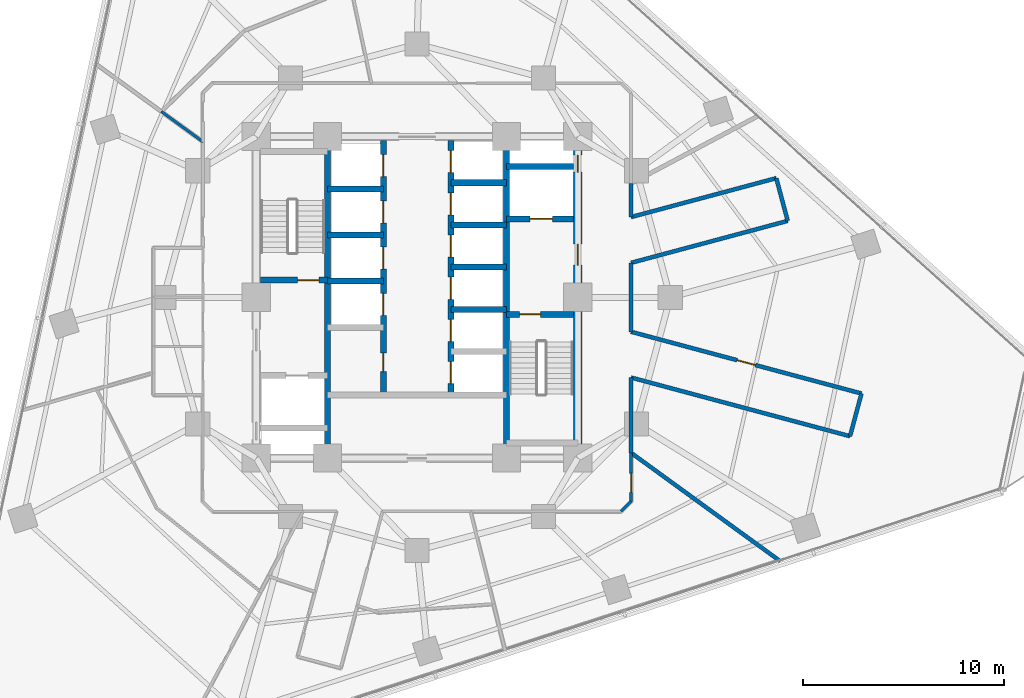
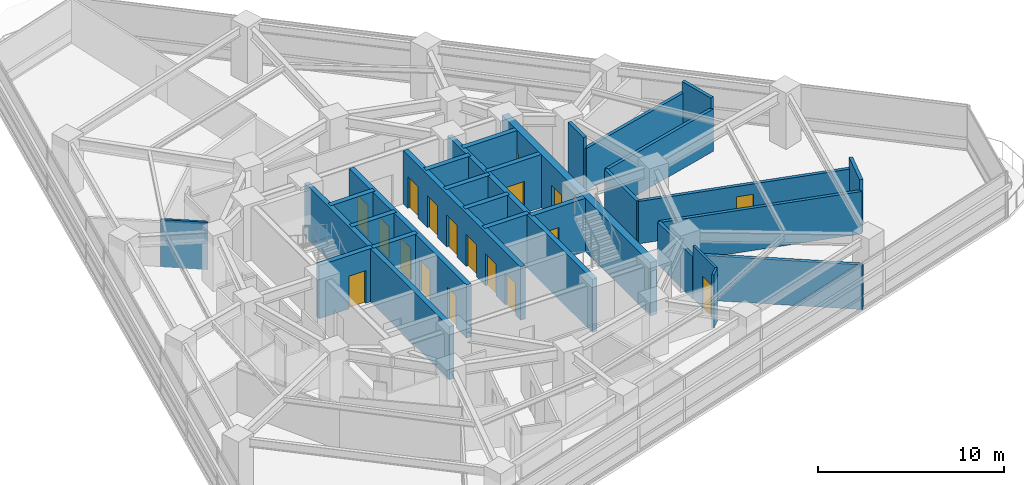
# One storey, part 8 of 13: 29 walls, 18 doors, 18 openings.
"""IFC4 building model written with IfcOpenShell, lengths in metres."""

from ifc_helpers import new_model, si_unit, direction, frame, frame_2d, origin, place, context, subcontext, project, spatial, rectangle, extrude, material, layer, layer_set, type_object, element, fill, save


model = new_model("IFC4")

# Units and contexts
model_context = context("Model", 3, precision=1e-05, world=origin(), true_north=direction((0.0, 1.0)))
body_context = subcontext(model_context, "Body", "Model", "MODEL_VIEW")
ifc_project = project(units=[si_unit("LENGTHUNIT", "METRE"), si_unit("AREAUNIT", "SQUARE_METRE"), si_unit("VOLUMEUNIT", "CUBIC_METRE"), si_unit("PLANEANGLEUNIT", "RADIAN"), si_unit("MASSUNIT", "GRAM", prefix="KILO")], contexts=[model_context])

# Site, building, storey
site_placement = place(None, origin())
site = spatial("IfcSite", under=ifc_project, at=site_placement, CompositionType="ELEMENT")
building_placement = place(site_placement, origin())
building = spatial("IfcBuilding", under=site, at=building_placement, Name="Terralouvre Media Tower", CompositionType="ELEMENT")
storey_placement = place(building_placement, frame((0.0, 0.0, 90.300048828125)))
storey = spatial("IfcBuildingStorey", under=building, at=storey_placement, Name="L22", CompositionType="ELEMENT", Elevation=90.300048828125)

# Walls
ifc_material_1 = material(Name="Concrete C50/60", Category="concrete")
ifc_layer_1 = layer(ifc_material_1, 0.300048828125, Name="Core Internal Shaft Wall CW-300")
ifc_layer_set_1 = layer_set([ifc_layer_1], Name="Concrete C50/60")
wall_type_1 = type_object("IfcWallType", Name="Core Internal Shaft Wall CW-300", PredefinedType="SHEAR", material=ifc_layer_set_1)
for number, where, z_axis, x_axis, name in (
    (1, (-4.449951171875, -7.7900390625, 0.0), (0.0, 0.0, 1.0), (0.0, 1.0, 0.0), "L22 Core Shaft Wall SPW"),
    (2, (4.449951171875, -7.7900390625, 0.0), (0.0, 0.0, 1.0), (0.0, 1.0, 0.0), "L22 Core Shaft Wall SPE"),
):
    element("IfcWall", number, at=place(storey_placement, frame(where, z_axis=z_axis, x_axis=x_axis)), inside=storey, type_object=wall_type_1, Name=name, PredefinedType="SHEAR", context=body_context, shape_type="SweptSolid", body=[
        extrude(rectangle(XDim=15.580078125, YDim=0.300048828125, at=frame_2d((7.7900390625, 0.0))), origin(), (0.0, 0.0, 1.0), 3.5),
    ])

# Wall, opening, door
wall_1_placement = place(storey_placement, frame((-7.7900390625, 0.85009765625, 0.0), z_axis=(0.0, 0.0, 1.0), x_axis=(1.0, 0.0, 0.0)))
wall_1 = element("IfcWall", 3, at=wall_1_placement, inside=storey, type_object=wall_type_1, Name="L22 Core Shaft Wall ST1D", PredefinedType="SHEAR", context=body_context, shape_type="SweptSolid", body=[
    extrude(rectangle(XDim=3.340087890625, YDim=0.300048828125, at=frame_2d((1.669921875, 0.0))), origin(), (0.0, 0.0, 1.0), 3.5),
])
opening_1_placement = place(wall_1_placement, frame((1.85009765625, 0.0, 0.0)))
opening_1 = element("IfcOpeningElement", 4, at=opening_1_placement, cuts=wall_1, Name="Opening FD-01-105X215", PredefinedType="OPENING", context=body_context, shape_type="SweptSolid", body=[
    extrude(rectangle(XDim=1.050048828125, YDim=2.14990234375, at=frame_2d((0.52490234375, 1.074951171875))), frame((0.0, 0.159912109375, 0.0), z_axis=(0.0, -1.0, 0.0), x_axis=(1.0, 0.0, 0.0)), (0.0, 0.0, 1.0), 0.320068359375),
])
ifc_material_2 = material(Name="Galvanised steel fire-resisting leaf", Category="steel")
door_type_1 = type_object("IfcDoorType", Name="Stair and Firefighting Lobby Fire Door FD-01 (1050x2150)", OperationType="NOTDEFINED", PredefinedType="DOOR", material=ifc_material_2)
door_1_placement = place(opening_1_placement, origin())
door_1 = element("IfcDoor", 5, at=door_1_placement, inside=storey, type_object=door_type_1, Name="L22 ST-01 Exit Stair Door", OperationType="SINGLE_SWING_LEFT", OverallHeight=2.14990234375, OverallWidth=1.050048828125, PredefinedType="DOOR", context=body_context, shape_type="SweptSolid", body=[
    extrude(rectangle(XDim=1.050048828125, YDim=2.14990234375, at=frame_2d((0.52490234375, 1.074951171875))), frame((0.0, 0.02490234375, 0.0), z_axis=(0.0, -1.0, 0.0), x_axis=(1.0, 0.0, 0.0)), (0.0, 0.0, 1.0), 0.050048828125),
])
fill(opening_1, door_1)

wall_2_placement = place(storey_placement, frame((4.449951171875, -0.85009765625, 0.0), z_axis=(0.0, 0.0, 1.0), x_axis=(1.0, 0.0, 0.0)))
wall_2 = element("IfcWall", 6, at=wall_2_placement, inside=storey, type_object=wall_type_1, Name="L22 Core Shaft Wall ST2D", PredefinedType="SHEAR", context=body_context, shape_type="SweptSolid", body=[
    extrude(rectangle(XDim=3.340087890625, YDim=0.300048828125, at=frame_2d((1.669921875, 0.0))), origin(), (0.0, 0.0, 1.0), 3.5),
])
opening_2_placement = place(wall_2_placement, frame((0.64990234375, 0.0, 0.0)))
opening_2 = element("IfcOpeningElement", 7, at=opening_2_placement, cuts=wall_2, Name="Opening FD-01-105X215", PredefinedType="OPENING", context=body_context, shape_type="SweptSolid", body=[
    extrude(rectangle(XDim=1.050048828125, YDim=2.14990234375, at=frame_2d((0.52490234375, 1.074951171875))), frame((0.0, 0.159912109375, 0.0), z_axis=(0.0, -1.0, 0.0), x_axis=(1.0, 0.0, 0.0)), (0.0, 0.0, 1.0), 0.320068359375),
])
door_2_placement = place(opening_2_placement, origin())
door_2 = element("IfcDoor", 8, at=door_2_placement, inside=storey, type_object=door_type_1, Name="L22 ST-02 Exit Stair Door", OperationType="SINGLE_SWING_RIGHT", OverallHeight=2.14990234375, OverallWidth=1.050048828125, PredefinedType="DOOR", context=body_context, shape_type="SweptSolid", body=[
    extrude(rectangle(XDim=1.050048828125, YDim=2.14990234375, at=frame_2d((0.52490234375, 1.074951171875))), frame((0.0, 0.02490234375, 0.0), z_axis=(0.0, -1.0, 0.0), x_axis=(1.0, 0.0, 0.0)), (0.0, 0.0, 1.0), 0.050048828125),
])
fill(opening_2, door_2)

wall_3_placement = place(storey_placement, frame((4.449951171875, 3.89990234375, 0.0), z_axis=(0.0, 0.0, 1.0), x_axis=(1.0, 0.0, 0.0)))
wall_3 = element("IfcWall", 9, at=wall_3_placement, inside=storey, type_object=wall_type_1, Name="L22 Core Shaft Wall FF2S", PredefinedType="SHEAR", context=body_context, shape_type="SweptSolid", body=[
    extrude(rectangle(XDim=3.340087890625, YDim=0.300048828125, at=frame_2d((1.669921875, 0.0))), origin(), (0.0, 0.0, 1.0), 3.5),
])
opening_3_placement = place(wall_3_placement, frame((1.179931640625, 0.0, 0.0)))
opening_3 = element("IfcOpeningElement", 10, at=opening_3_placement, cuts=wall_3, Name="Opening LD-FF", PredefinedType="OPENING", context=body_context, shape_type="SweptSolid", body=[
    extrude(rectangle(XDim=1.10009765625, YDim=2.10009765625, at=frame_2d((0.550048828125, 1.050048828125))), frame((0.0, 0.159912109375, 0.0), z_axis=(0.0, -1.0, 0.0), x_axis=(1.0, 0.0, 0.0)), (0.0, 0.0, 1.0), 0.320068359375),
])
ifc_material_3 = material(Name="Stainless steel 316 handrail and balustrade", Category="steel")
door_type_2 = type_object("IfcDoorType", Name="Firefighting Lift Sliding Landing Door LD-FF", OperationType="SLIDING_TO_LEFT", PredefinedType="DOOR", material=ifc_material_3)
door_3_placement = place(opening_3_placement, origin())
door_3 = element("IfcDoor", 11, at=door_3_placement, inside=storey, type_object=door_type_2, Name="L22 Firefighting Lift FFL-02 Landing Door", OperationType="SLIDING_TO_LEFT", OverallHeight=2.10009765625, OverallWidth=1.10009765625, PredefinedType="DOOR", context=body_context, shape_type="SweptSolid", body=[
    extrude(rectangle(XDim=1.10009765625, YDim=2.10009765625, at=frame_2d((0.550048828125, 1.050048828125))), frame((0.0, 0.02490234375, 0.0), z_axis=(0.0, -1.0, 0.0), x_axis=(1.0, 0.0, 0.0)), (0.0, 0.0, 1.0), 0.050048828125),
])
fill(opening_3, door_3)

# Wall
wall_4_placement = place(storey_placement, frame((4.449951171875, 6.5, 0.0), z_axis=(0.0, 0.0, 1.0), x_axis=(1.0, 0.0, 0.0)))
element("IfcWall", 12, at=wall_4_placement, inside=storey, type_object=wall_type_1, Name="L22 Core Shaft Wall FF2N", PredefinedType="SHEAR", context=body_context, shape_type="SweptSolid", body=[
    extrude(rectangle(XDim=3.340087890625, YDim=0.300048828125, at=frame_2d((1.669921875, 0.0))), origin(), (0.0, 0.0, 1.0), 3.5),
])

# Wall, openings, doors
wall_5_placement = place(storey_placement, frame((-1.679931640625, -4.85009765625, 0.0), z_axis=(0.0, 0.0, 1.0), x_axis=(0.0, 1.0, 0.0)))
wall_5 = element("IfcWall", 13, at=wall_5_placement, inside=storey, type_object=wall_type_1, Name="L22 Core Shaft Wall LBW", PredefinedType="SHEAR", context=body_context, shape_type="SweptSolid", body=[
    extrude(rectangle(XDim=12.64013671875, YDim=0.300048828125, at=frame_2d((6.320068359375, 0.0))), origin(), (0.0, 0.0, 1.0), 3.5),
])
opening_4_placement = place(wall_5_placement, frame((3.949951171875, 0.0, 0.0)))
opening_4 = element("IfcOpeningElement", 14, at=opening_4_placement, cuts=wall_5, Name="Opening LD-PL", PredefinedType="OPENING", context=body_context, shape_type="SweptSolid", body=[
    extrude(rectangle(XDim=1.10009765625, YDim=2.10009765625, at=frame_2d((0.550048828125, 1.050048828125))), frame((0.0, 0.159912109375, 0.0), z_axis=(0.0, -1.0, 0.0), x_axis=(1.0, 0.0, 0.0)), (0.0, 0.0, 1.0), 0.320068359375),
])
opening_5_placement = place(wall_5_placement, frame((6.25, 0.0, 0.0)))
opening_5 = element("IfcOpeningElement", 15, at=opening_5_placement, cuts=wall_5, Name="Opening LD-PL", PredefinedType="OPENING", context=body_context, shape_type="SweptSolid", body=[
    extrude(rectangle(XDim=1.10009765625, YDim=2.10009765625, at=frame_2d((0.550048828125, 1.050048828125))), frame((0.0, 0.159912109375, 0.0), z_axis=(0.0, -1.0, 0.0), x_axis=(1.0, 0.0, 0.0)), (0.0, 0.0, 1.0), 0.320068359375),
])
opening_6_placement = place(wall_5_placement, frame((8.550048828125, 0.0, 0.0)))
opening_6 = element("IfcOpeningElement", 16, at=opening_6_placement, cuts=wall_5, Name="Opening LD-PL", PredefinedType="OPENING", context=body_context, shape_type="SweptSolid", body=[
    extrude(rectangle(XDim=1.10009765625, YDim=2.10009765625, at=frame_2d((0.550048828125, 1.050048828125))), frame((0.0, 0.159912109375, 0.0), z_axis=(0.0, -1.0, 0.0), x_axis=(1.0, 0.0, 0.0)), (0.0, 0.0, 1.0), 0.320068359375),
])
opening_7_placement = place(wall_5_placement, frame((10.85009765625, 0.0, 0.0)))
opening_7 = element("IfcOpeningElement", 17, at=opening_7_placement, cuts=wall_5, Name="Opening LD-PL", PredefinedType="OPENING", context=body_context, shape_type="SweptSolid", body=[
    extrude(rectangle(XDim=1.10009765625, YDim=2.10009765625, at=frame_2d((0.550048828125, 1.050048828125))), frame((0.0, 0.159912109375, 0.0), z_axis=(0.0, -1.0, 0.0), x_axis=(1.0, 0.0, 0.0)), (0.0, 0.0, 1.0), 0.320068359375),
])
opening_8_placement = place(wall_5_placement, frame((1.14990234375, 0.0, 0.0)))
opening_8 = element("IfcOpeningElement", 18, at=opening_8_placement, cuts=wall_5, Name="Opening FD-05-92X210", PredefinedType="OPENING", context=body_context, shape_type="SweptSolid", body=[
    extrude(rectangle(XDim=0.919921875, YDim=2.10009765625, at=frame_2d((0.4599609375, 1.050048828125))), frame((0.0, 0.159912109375, 0.0), z_axis=(0.0, -1.0, 0.0), x_axis=(1.0, 0.0, 0.0)), (0.0, 0.0, 1.0), 0.320068359375),
])
ifc_material_4 = material(Name="Galvanised steel fire-resisting leaf", Category="steel")
door_type_3 = type_object("IfcDoorType", Name="Core Accessible Closet Fire Door FD-05 (920x2100)", OperationType="NOTDEFINED", PredefinedType="DOOR", material=ifc_material_4)
door_4_placement = place(opening_8_placement, origin())
door_4 = element("IfcDoor", 19, at=door_4_placement, inside=storey, type_object=door_type_3, Name="L22 Core Cleaners Closet Door", OperationType="SINGLE_SWING_LEFT", OverallHeight=2.10009765625, OverallWidth=0.919921875, PredefinedType="DOOR", context=body_context, shape_type="SweptSolid", body=[
    extrude(rectangle(XDim=0.919921875, YDim=2.10009765625, at=frame_2d((0.4599609375, 1.050048828125))), frame((0.0, 0.02490234375, 0.0), z_axis=(0.0, -1.0, 0.0), x_axis=(1.0, 0.0, 0.0)), (0.0, 0.0, 1.0), 0.050048828125),
])
fill(opening_8, door_4)
ifc_material_5 = material(Name="Stainless steel 316 handrail and balustrade", Category="steel")
door_type_4 = type_object("IfcDoorType", Name="Passenger Lift Sliding Landing Door LD-PL", OperationType="SLIDING_TO_LEFT", PredefinedType="DOOR", material=ifc_material_5)
door_5_placement = place(opening_4_placement, origin())
door_5 = element("IfcDoor", 20, at=door_5_placement, inside=storey, type_object=door_type_4, Name="L22 Low-Rise Lift PL-L1 Landing Door", OperationType="SLIDING_TO_LEFT", OverallHeight=2.10009765625, OverallWidth=1.10009765625, PredefinedType="DOOR", context=body_context, shape_type="SweptSolid", body=[
    extrude(rectangle(XDim=1.10009765625, YDim=2.10009765625, at=frame_2d((0.550048828125, 1.050048828125))), frame((0.0, 0.02490234375, 0.0), z_axis=(0.0, -1.0, 0.0), x_axis=(1.0, 0.0, 0.0)), (0.0, 0.0, 1.0), 0.050048828125),
])
fill(opening_4, door_5)
door_6_placement = place(opening_5_placement, origin())
door_6 = element("IfcDoor", 21, at=door_6_placement, inside=storey, type_object=door_type_4, Name="L22 Low-Rise Lift PL-L2 Landing Door", OperationType="SLIDING_TO_LEFT", OverallHeight=2.10009765625, OverallWidth=1.10009765625, PredefinedType="DOOR", context=body_context, shape_type="SweptSolid", body=[
    extrude(rectangle(XDim=1.10009765625, YDim=2.10009765625, at=frame_2d((0.550048828125, 1.050048828125))), frame((0.0, 0.02490234375, 0.0), z_axis=(0.0, -1.0, 0.0), x_axis=(1.0, 0.0, 0.0)), (0.0, 0.0, 1.0), 0.050048828125),
])
fill(opening_5, door_6)
door_7_placement = place(opening_6_placement, origin())
door_7 = element("IfcDoor", 22, at=door_7_placement, inside=storey, type_object=door_type_4, Name="L22 Low-Rise Lift PL-L3 Landing Door", OperationType="SLIDING_TO_LEFT", OverallHeight=2.10009765625, OverallWidth=1.10009765625, PredefinedType="DOOR", context=body_context, shape_type="SweptSolid", body=[
    extrude(rectangle(XDim=1.10009765625, YDim=2.10009765625, at=frame_2d((0.550048828125, 1.050048828125))), frame((0.0, 0.02490234375, 0.0), z_axis=(0.0, -1.0, 0.0), x_axis=(1.0, 0.0, 0.0)), (0.0, 0.0, 1.0), 0.050048828125),
])
fill(opening_6, door_7)
door_8_placement = place(opening_7_placement, origin())
door_8 = element("IfcDoor", 23, at=door_8_placement, inside=storey, type_object=door_type_4, Name="L22 Low-Rise Lift PL-L4 Landing Door", OperationType="SLIDING_TO_LEFT", OverallHeight=2.10009765625, OverallWidth=1.10009765625, PredefinedType="DOOR", context=body_context, shape_type="SweptSolid", body=[
    extrude(rectangle(XDim=1.10009765625, YDim=2.10009765625, at=frame_2d((0.550048828125, 1.050048828125))), frame((0.0, 0.02490234375, 0.0), z_axis=(0.0, -1.0, 0.0), x_axis=(1.0, 0.0, 0.0)), (0.0, 0.0, 1.0), 0.050048828125),
])
fill(opening_7, door_8)

wall_6_placement = place(storey_placement, frame((1.679931640625, -4.85009765625, 0.0), z_axis=(0.0, 0.0, 1.0), x_axis=(0.0, 1.0, 0.0)))
wall_6 = element("IfcWall", 24, at=wall_6_placement, inside=storey, type_object=wall_type_1, Name="L22 Core Shaft Wall LBE", PredefinedType="SHEAR", context=body_context, shape_type="SweptSolid", body=[
    extrude(rectangle(XDim=12.64013671875, YDim=0.300048828125, at=frame_2d((6.320068359375, 0.0))), origin(), (0.0, 0.0, 1.0), 3.5),
])
opening_9_placement = place(wall_6_placement, frame((0.550048828125, 0.0, 0.0)))
opening_9 = element("IfcOpeningElement", 25, at=opening_9_placement, cuts=wall_6, Name="Opening LD-PL", PredefinedType="OPENING", context=body_context, shape_type="SweptSolid", body=[
    extrude(rectangle(XDim=1.10009765625, YDim=2.10009765625, at=frame_2d((0.550048828125, 1.050048828125))), frame((0.0, 0.159912109375, 0.0), z_axis=(0.0, -1.0, 0.0), x_axis=(1.0, 0.0, 0.0)), (0.0, 0.0, 1.0), 0.320068359375),
])
opening_10_placement = place(wall_6_placement, frame((2.64990234375, 0.0, 0.0)))
opening_10 = element("IfcOpeningElement", 26, at=opening_10_placement, cuts=wall_6, Name="Opening LD-PL", PredefinedType="OPENING", context=body_context, shape_type="SweptSolid", body=[
    extrude(rectangle(XDim=1.10009765625, YDim=2.10009765625, at=frame_2d((0.550048828125, 1.050048828125))), frame((0.0, 0.159912109375, 0.0), z_axis=(0.0, -1.0, 0.0), x_axis=(1.0, 0.0, 0.0)), (0.0, 0.0, 1.0), 0.320068359375),
])
opening_11_placement = place(wall_6_placement, frame((4.75, 0.0, 0.0)))
opening_11 = element("IfcOpeningElement", 27, at=opening_11_placement, cuts=wall_6, Name="Opening LD-PL", PredefinedType="OPENING", context=body_context, shape_type="SweptSolid", body=[
    extrude(rectangle(XDim=1.10009765625, YDim=2.10009765625, at=frame_2d((0.550048828125, 1.050048828125))), frame((0.0, 0.159912109375, 0.0), z_axis=(0.0, -1.0, 0.0), x_axis=(1.0, 0.0, 0.0)), (0.0, 0.0, 1.0), 0.320068359375),
])
opening_12_placement = place(wall_6_placement, frame((6.85009765625, 0.0, 0.0)))
opening_12 = element("IfcOpeningElement", 28, at=opening_12_placement, cuts=wall_6, Name="Opening LD-PL", PredefinedType="OPENING", context=body_context, shape_type="SweptSolid", body=[
    extrude(rectangle(XDim=1.10009765625, YDim=2.10009765625, at=frame_2d((0.550048828125, 1.050048828125))), frame((0.0, 0.159912109375, 0.0), z_axis=(0.0, -1.0, 0.0), x_axis=(1.0, 0.0, 0.0)), (0.0, 0.0, 1.0), 0.320068359375),
])
opening_13_placement = place(wall_6_placement, frame((8.949951171875, 0.0, 0.0)))
opening_13 = element("IfcOpeningElement", 29, at=opening_13_placement, cuts=wall_6, Name="Opening LD-PL", PredefinedType="OPENING", context=body_context, shape_type="SweptSolid", body=[
    extrude(rectangle(XDim=1.10009765625, YDim=2.10009765625, at=frame_2d((0.550048828125, 1.050048828125))), frame((0.0, 0.159912109375, 0.0), z_axis=(0.0, -1.0, 0.0), x_axis=(1.0, 0.0, 0.0)), (0.0, 0.0, 1.0), 0.320068359375),
])
opening_14_placement = place(wall_6_placement, frame((11.050048828125, 0.0, 0.0)))
opening_14 = element("IfcOpeningElement", 30, at=opening_14_placement, cuts=wall_6, Name="Opening LD-PL", PredefinedType="OPENING", context=body_context, shape_type="SweptSolid", body=[
    extrude(rectangle(XDim=1.10009765625, YDim=2.10009765625, at=frame_2d((0.550048828125, 1.050048828125))), frame((0.0, 0.159912109375, 0.0), z_axis=(0.0, -1.0, 0.0), x_axis=(1.0, 0.0, 0.0)), (0.0, 0.0, 1.0), 0.320068359375),
])
door_9_placement = place(opening_9_placement, origin())
door_9 = element("IfcDoor", 31, at=door_9_placement, inside=storey, type_object=door_type_4, Name="L22 High-Rise Lift PL-H1 Landing Door", OperationType="SLIDING_TO_LEFT", OverallHeight=2.10009765625, OverallWidth=1.10009765625, PredefinedType="DOOR", context=body_context, shape_type="SweptSolid", body=[
    extrude(rectangle(XDim=1.10009765625, YDim=2.10009765625, at=frame_2d((0.550048828125, 1.050048828125))), frame((0.0, 0.02490234375, 0.0), z_axis=(0.0, -1.0, 0.0), x_axis=(1.0, 0.0, 0.0)), (0.0, 0.0, 1.0), 0.050048828125),
])
fill(opening_9, door_9)
door_10_placement = place(opening_10_placement, origin())
door_10 = element("IfcDoor", 32, at=door_10_placement, inside=storey, type_object=door_type_4, Name="L22 High-Rise Lift PL-H2 Landing Door", OperationType="SLIDING_TO_LEFT", OverallHeight=2.10009765625, OverallWidth=1.10009765625, PredefinedType="DOOR", context=body_context, shape_type="SweptSolid", body=[
    extrude(rectangle(XDim=1.10009765625, YDim=2.10009765625, at=frame_2d((0.550048828125, 1.050048828125))), frame((0.0, 0.02490234375, 0.0), z_axis=(0.0, -1.0, 0.0), x_axis=(1.0, 0.0, 0.0)), (0.0, 0.0, 1.0), 0.050048828125),
])
fill(opening_10, door_10)
door_11_placement = place(opening_11_placement, origin())
door_11 = element("IfcDoor", 33, at=door_11_placement, inside=storey, type_object=door_type_4, Name="L22 High-Rise Lift PL-H3 Landing Door", OperationType="SLIDING_TO_LEFT", OverallHeight=2.10009765625, OverallWidth=1.10009765625, PredefinedType="DOOR", context=body_context, shape_type="SweptSolid", body=[
    extrude(rectangle(XDim=1.10009765625, YDim=2.10009765625, at=frame_2d((0.550048828125, 1.050048828125))), frame((0.0, 0.02490234375, 0.0), z_axis=(0.0, -1.0, 0.0), x_axis=(1.0, 0.0, 0.0)), (0.0, 0.0, 1.0), 0.050048828125),
])
fill(opening_11, door_11)
door_12_placement = place(opening_12_placement, origin())
door_12 = element("IfcDoor", 34, at=door_12_placement, inside=storey, type_object=door_type_4, Name="L22 Mid-Rise Lift PL-M1 Landing Door", OperationType="SLIDING_TO_LEFT", OverallHeight=2.10009765625, OverallWidth=1.10009765625, PredefinedType="DOOR", context=body_context, shape_type="SweptSolid", body=[
    extrude(rectangle(XDim=1.10009765625, YDim=2.10009765625, at=frame_2d((0.550048828125, 1.050048828125))), frame((0.0, 0.02490234375, 0.0), z_axis=(0.0, -1.0, 0.0), x_axis=(1.0, 0.0, 0.0)), (0.0, 0.0, 1.0), 0.050048828125),
])
fill(opening_12, door_12)
door_13_placement = place(opening_13_placement, origin())
door_13 = element("IfcDoor", 35, at=door_13_placement, inside=storey, type_object=door_type_4, Name="L22 Mid-Rise Lift PL-M2 Landing Door", OperationType="SLIDING_TO_LEFT", OverallHeight=2.10009765625, OverallWidth=1.10009765625, PredefinedType="DOOR", context=body_context, shape_type="SweptSolid", body=[
    extrude(rectangle(XDim=1.10009765625, YDim=2.10009765625, at=frame_2d((0.550048828125, 1.050048828125))), frame((0.0, 0.02490234375, 0.0), z_axis=(0.0, -1.0, 0.0), x_axis=(1.0, 0.0, 0.0)), (0.0, 0.0, 1.0), 0.050048828125),
])
fill(opening_13, door_13)
door_14_placement = place(opening_14_placement, origin())
door_14 = element("IfcDoor", 36, at=door_14_placement, inside=storey, type_object=door_type_4, Name="L22 Mid-Rise Lift PL-M3 Landing Door", OperationType="SLIDING_TO_LEFT", OverallHeight=2.10009765625, OverallWidth=1.10009765625, PredefinedType="DOOR", context=body_context, shape_type="SweptSolid", body=[
    extrude(rectangle(XDim=1.10009765625, YDim=2.10009765625, at=frame_2d((0.550048828125, 1.050048828125))), frame((0.0, 0.02490234375, 0.0), z_axis=(0.0, -1.0, 0.0), x_axis=(1.0, 0.0, 0.0)), (0.0, 0.0, 1.0), 0.050048828125),
])
fill(opening_14, door_14)

# Walls
for number, where, z_axis, x_axis, name in (
    (37, (-4.449951171875, 0.800048828125, 0.0), (0.0, 0.0, 1.0), (1.0, 0.0, 0.0), "L22 Core Shaft Wall PLLD1"),
    (38, (-4.449951171875, 3.10009765625, 0.0), (0.0, 0.0, 1.0), (1.0, 0.0, 0.0), "L22 Core Shaft Wall PLLD2"),
    (39, (-4.449951171875, 5.39990234375, 0.0), (0.0, 0.0, 1.0), (1.0, 0.0, 0.0), "L22 Core Shaft Wall PLLD3"),
    (40, (1.679931640625, 1.5, 0.0), (0.0, 0.0, 1.0), (1.0, 0.0, 0.0), "L22 Core Shaft Wall PLMD0"),
    (41, (1.679931640625, 3.60009765625, 0.0), (0.0, 0.0, 1.0), (1.0, 0.0, 0.0), "L22 Core Shaft Wall PLMD1"),
    (42, (1.679931640625, 5.699951171875, 0.0), (0.0, 0.0, 1.0), (1.0, 0.0, 0.0), "L22 Core Shaft Wall PLMD2"),
    (43, (1.679931640625, -0.60009765625, 0.0), (0.0, 0.0, 1.0), (1.0, 0.0, 0.0), "L22 Core Shaft Wall PLHD2"),
):
    element("IfcWall", number, at=place(storey_placement, frame(where, z_axis=z_axis, x_axis=x_axis)), inside=storey, type_object=wall_type_1, Name=name, PredefinedType="SHEAR", context=body_context, shape_type="SweptSolid", body=[
        extrude(rectangle(XDim=2.77001953125, YDim=0.300048828125, at=frame_2d((1.385009765625, 0.0))), origin(), (0.0, 0.0, 1.0), 3.5),
    ])

# Wall, openings, doors
ifc_material_6 = material(Name="Concrete C60/75", Category="concrete")
ifc_layer_2 = layer(ifc_material_6, 0.419921875, Name="Core Reinforced Concrete Shear Wall CW-420")
ifc_layer_set_2 = layer_set([ifc_layer_2], Name="Concrete C60/75")
wall_type_2 = type_object("IfcWallType", Name="Core Reinforced Concrete Shear Wall CW-420", PredefinedType="SHEAR", material=ifc_layer_set_2)
wall_7_placement = place(storey_placement, frame((8.0, -8.0, 0.0), z_axis=(0.0, 0.0, 1.0), x_axis=(0.0, 1.0, 0.0)))
wall_7 = element("IfcWall", 44, at=wall_7_placement, inside=storey, type_object=wall_type_2, Name="L22 E Core Shear Wall", PredefinedType="SHEAR", context=body_context, shape_type="SweptSolid", body=[
    extrude(rectangle(XDim=16.0, YDim=0.419921875, at=frame_2d((8.0, 0.0))), origin(), (0.0, 0.0, 1.0), 3.5),
])
opening_15_placement = place(wall_7_placement, frame((9.60009765625, 0.0, 0.0)))
opening_15 = element("IfcOpeningElement", 45, at=opening_15_placement, cuts=wall_7, Name="Opening FD-01-105X215", PredefinedType="OPENING", context=body_context, shape_type="SweptSolid", body=[
    extrude(rectangle(XDim=1.050048828125, YDim=2.14990234375, at=frame_2d((0.52490234375, 1.074951171875))), frame((0.0, 0.219970703125, 0.0), z_axis=(0.0, -1.0, 0.0), x_axis=(1.0, 0.0, 0.0)), (0.0, 0.0, 1.0), 0.43994140625),
])
opening_16_placement = place(wall_7_placement, frame((14.228515625, 0.0, 0.0)))
opening_16 = element("IfcOpeningElement", 46, at=opening_16_placement, cuts=wall_7, Name="Opening TD-R1", PredefinedType="OPENING", context=body_context, shape_type="SweptSolid", body=[
    extrude(rectangle(XDim=0.85009765625, YDim=2.02001953125, at=frame_2d((0.425048828125, 1.010009765625))), frame((0.0, 0.219970703125, 0.0), z_axis=(0.0, -1.0, 0.0), x_axis=(1.0, 0.0, 0.0)), (0.0, 0.0, 1.0), 0.43994140625),
])
ifc_material_7 = material(Name="Galvanised steel fire-resisting leaf", Category="steel")
door_type_5 = type_object("IfcDoorType", Name="Riser Inspection Access Trapdoor TD-R1", OperationType="NOTDEFINED", PredefinedType="TRAPDOOR", material=ifc_material_7)
door_15_placement = place(opening_16_placement, origin())
door_15 = element("IfcDoor", 47, at=door_15_placement, inside=storey, type_object=door_type_5, Name="L22 East Comms Riser Access Trapdoor", OperationType="SINGLE_SWING_RIGHT", OverallHeight=2.02001953125, OverallWidth=0.85009765625, PredefinedType="TRAPDOOR", context=body_context, shape_type="SweptSolid", body=[
    extrude(rectangle(XDim=0.85009765625, YDim=2.02001953125, at=frame_2d((0.425048828125, 1.010009765625))), frame((0.0, 0.02490234375, 0.0), z_axis=(0.0, -1.0, 0.0), x_axis=(1.0, 0.0, 0.0)), (0.0, 0.0, 1.0), 0.050048828125),
])
fill(opening_16, door_15)
door_16_placement = place(opening_15_placement, origin())
door_16 = element("IfcDoor", 48, at=door_16_placement, inside=storey, type_object=door_type_1, Name="L22 East Firefighting Lobby Entry Door", OperationType="SINGLE_SWING_LEFT", OverallHeight=2.14990234375, OverallWidth=1.050048828125, PredefinedType="DOOR", context=body_context, shape_type="SweptSolid", body=[
    extrude(rectangle(XDim=1.050048828125, YDim=2.14990234375, at=frame_2d((0.52490234375, 1.074951171875))), frame((0.0, 0.02490234375, 0.0), z_axis=(0.0, -1.0, 0.0), x_axis=(1.0, 0.0, 0.0)), (0.0, 0.0, 1.0), 0.050048828125),
])
fill(opening_15, door_16)

# Walls
ifc_material_8 = material(Name="Fire-rated gypsum board drywall partition")
ifc_layer_3 = layer(ifc_material_8, 0.199951171875, Name="Fire-Rated Shaft and Lobby Partition FW-200")
ifc_layer_set_3 = layer_set([ifc_layer_3], Name="Fire-rated gypsum board drywall partition")
wall_type_3 = type_object("IfcWallType", Name="Fire-Rated Shaft and Lobby Partition FW-200", PredefinedType="SOLIDWALL", material=ifc_layer_set_3)
wall_8_placement = place(storey_placement, frame((10.64990234375, -7.738037109375, 0.0), z_axis=(0.0, 0.0, 1.0), x_axis=(0.0, 1.0, 0.0)))
element("IfcWall", 49, at=wall_8_placement, inside=storey, type_object=wall_type_3, Name="L22 Interior Partition 001", PredefinedType="SOLIDWALL", context=body_context, shape_type="SweptSolid", body=[
    extrude(rectangle(XDim=3.74609375, YDim=0.199951171875, at=frame_2d((1.873046875, 0.0))), origin(), (0.0, 0.0, 1.0), 2.784912109375),
])
wall_9_placement = place(storey_placement, frame((10.64990234375, -3.991943359375, 0.0), z_axis=(0.0, 0.0, 1.0), x_axis=(0.965906888357, -0.258889712088, 0.0)))
element("IfcWall", 50, at=wall_9_placement, inside=storey, type_object=wall_type_3, Name="L22 Interior Partition 002", PredefinedType="SOLIDWALL", context=body_context, shape_type="SweptSolid", body=[
    extrude(rectangle(XDim=11.279541015625, YDim=0.199951171875, at=frame_2d((5.6396484375, 0.0))), origin(), (0.0, 0.0, 1.0), 2.784912109375),
])
wall_10_placement = place(storey_placement, frame((21.544921875, -6.912109375, 0.0), z_axis=(0.0, 0.0, 1.0), x_axis=(0.259105843213, 0.965848933329, 0.0)))
element("IfcWall", 51, at=wall_10_placement, inside=storey, type_object=wall_type_3, Name="L22 Interior Partition 003", PredefinedType="SOLIDWALL", context=body_context, shape_type="SweptSolid", body=[
    extrude(rectangle(XDim=2.2001953125, YDim=0.199951171875, at=frame_2d((1.10009765625, 0.0))), origin(), (0.0, 0.0, 1.0), 3.5),
])

# Wall, opening, door
wall_11_placement = place(storey_placement, frame((22.114990234375, -4.787109375, 0.0), z_axis=(0.0, 0.0, 1.0), x_axis=(-0.965926659449, 0.258815935688, 0.0)))
wall_11 = element("IfcWall", 52, at=wall_11_placement, inside=storey, type_object=wall_type_3, Name="L22 Interior Partition 004", PredefinedType="SOLIDWALL", context=body_context, shape_type="SweptSolid", body=[
    extrude(rectangle(XDim=11.86962890625, YDim=0.199951171875, at=frame_2d((5.934814453125, 0.0))), origin(), (0.0, 0.0, 1.0), 2.784912109375),
])
opening_17_placement = place(wall_11_placement, frame((5.459716796875, 0.0, 0.0)))
opening_17 = element("IfcOpeningElement", 53, at=opening_17_placement, cuts=wall_11, Name="Opening FD-02-95X210", PredefinedType="OPENING", context=body_context, shape_type="SweptSolid", body=[
    extrude(rectangle(XDim=0.949951171875, YDim=2.10009765625, at=frame_2d((0.47509765625, 1.050048828125))), frame((0.0, 0.10986328125, 0.0), z_axis=(0.0, -1.0, 0.0), x_axis=(1.0, 0.0, 0.0)), (0.0, 0.0, 1.0), 0.219970703125),
])
ifc_material_9 = material(Name="Galvanised steel fire-resisting leaf", Category="steel")
door_type_6 = type_object("IfcDoorType", Name="Plant and Riser Fire Door FD-02 (950x2100)", OperationType="NOTDEFINED", PredefinedType="DOOR", material=ifc_material_9)
door_17_placement = place(opening_17_placement, origin())
door_17 = element("IfcDoor", 54, at=door_17_placement, inside=storey, type_object=door_type_6, Name="L22 SAN High-Speed Server Room 1 Door", OperationType="SINGLE_SWING_RIGHT", OverallHeight=2.10009765625, OverallWidth=0.949951171875, PredefinedType="DOOR", context=body_context, shape_type="SweptSolid", body=[
    extrude(rectangle(XDim=0.949951171875, YDim=2.10009765625, at=frame_2d((0.47509765625, 1.050048828125))), frame((0.0, 0.02490234375, 0.0), z_axis=(0.0, -1.0, 0.0), x_axis=(1.0, 0.0, 0.0)), (0.0, 0.0, 1.0), 0.050048828125),
])
fill(opening_17, door_17)

# Walls
wall_12_placement = place(storey_placement, frame((10.64990234375, -1.715087890625, 0.0), z_axis=(0.0, 0.0, 1.0), x_axis=(0.0, 1.0, 0.0)))
element("IfcWall", 55, at=wall_12_placement, inside=storey, type_object=wall_type_3, Name="L22 Interior Partition 005", PredefinedType="SOLIDWALL", context=body_context, shape_type="SweptSolid", body=[
    extrude(rectangle(XDim=3.43017578125, YDim=0.199951171875, at=frame_2d((1.715087890625, 0.0))), origin(), (0.0, 0.0, 1.0), 2.784912109375),
])
wall_13_placement = place(storey_placement, frame((10.64990234375, 1.715087890625, 0.0), z_axis=(0.0, 0.0, 1.0), x_axis=(0.965943055062, 0.258754737882, 0.0)))
element("IfcWall", 56, at=wall_13_placement, inside=storey, type_object=wall_type_3, Name="L22 Interior Partition 006", PredefinedType="SOLIDWALL", context=body_context, shape_type="SweptSolid", body=[
    extrude(rectangle(XDim=8.069091796875, YDim=0.199951171875, at=frame_2d((4.03466796875, 0.0))), origin(), (0.0, 0.0, 1.0), 2.784912109375),
])
wall_14_placement = place(storey_placement, frame((18.444091796875, 3.802978515625, 0.0), z_axis=(0.0, 0.0, 1.0), x_axis=(-0.258691706618, 0.965959937537, 0.0)))
element("IfcWall", 57, at=wall_14_placement, inside=storey, type_object=wall_type_3, Name="L22 Interior Partition 007", PredefinedType="SOLIDWALL", context=body_context, shape_type="SweptSolid", body=[
    extrude(rectangle(XDim=2.199951171875, YDim=0.199951171875, at=frame_2d((1.10009765625, 0.0))), origin(), (0.0, 0.0, 1.0), 3.5),
])
wall_15_placement = place(storey_placement, frame((17.875, 5.927978515625, 0.0), z_axis=(0.0, 0.0, 1.0), x_axis=(-0.965923283659, -0.258828534142, 0.0)))
element("IfcWall", 58, at=wall_15_placement, inside=storey, type_object=wall_type_3, Name="L22 Interior Partition 008", PredefinedType="SOLIDWALL", context=body_context, shape_type="SweptSolid", body=[
    extrude(rectangle(XDim=7.47998046875, YDim=0.199951171875, at=frame_2d((3.739990234375, 0.0))), origin(), (0.0, 0.0, 1.0), 2.784912109375),
])
wall_16_placement = place(storey_placement, frame((10.64990234375, 3.991943359375, 0.0), z_axis=(0.0, 0.0, 1.0), x_axis=(0.0, 1.0, 0.0)))
element("IfcWall", 59, at=wall_16_placement, inside=storey, type_object=wall_type_3, Name="L22 Interior Partition 009", PredefinedType="SOLIDWALL", context=body_context, shape_type="SweptSolid", body=[
    extrude(rectangle(XDim=1.671142578125, YDim=0.199951171875, at=frame_2d((0.83544921875, 0.0))), origin(), (0.0, 0.0, 1.0), 3.5),
])
wall_17_placement = place(storey_placement, frame((10.64990234375, -7.738037109375, 0.0), z_axis=(0.0, 0.0, 1.0), x_axis=(0.809037487075, -0.587757045477, 0.0)))
element("IfcWall", 60, at=wall_17_placement, inside=storey, type_object=wall_type_3, Name="L22 Interior Partition 033", PredefinedType="SOLIDWALL", context=body_context, shape_type="SweptSolid", body=[
    extrude(rectangle(XDim=9.174072265625, YDim=0.199951171875, at=frame_2d((4.5869140625, 0.0))), origin(), (0.0, 0.0, 1.0), 2.93505859375),
])
ifc_material_10 = material(Name="Fire-rated gypsum board drywall partition")
ifc_layer_4 = layer(ifc_material_10, 0.135009765625, Name="Newsroom Acoustic Partition PT-135")
ifc_layer_set_4 = layer_set([ifc_layer_4], Name="Fire-rated gypsum board drywall partition")
wall_type_4 = type_object("IfcWallType", Name="Newsroom Acoustic Partition PT-135", PredefinedType="PARTITIONING", material=ifc_layer_set_4)
wall_18_placement = place(storey_placement, frame((10.14990234375, -10.64990234375, 0.0), z_axis=(0.0, 0.0, 1.0), x_axis=(0.707106781187, 0.707106781187, 0.0)))
element("IfcWall", 61, at=wall_18_placement, inside=storey, type_object=wall_type_4, Name="L22 Interior Partition 023", PredefinedType="PARTITIONING", context=body_context, shape_type="SweptSolid", body=[
    extrude(rectangle(XDim=0.70703125, YDim=0.135009765625, at=frame_2d((0.353515625, 0.0))), origin(), (0.0, 0.0, 1.0), 3.5),
])

# Wall, opening, door
wall_19_placement = place(storey_placement, frame((10.64990234375, -10.14990234375, 0.0), z_axis=(0.0, 0.0, 1.0), x_axis=(0.0, 1.0, 0.0)))
wall_19 = element("IfcWall", 62, at=wall_19_placement, inside=storey, type_object=wall_type_4, Name="L22 Interior Partition 024", PredefinedType="PARTITIONING", context=body_context, shape_type="SweptSolid", body=[
    extrude(rectangle(XDim=2.411865234375, YDim=0.135009765625, at=frame_2d((1.2060546875, 0.0))), origin(), (0.0, 0.0, 1.0), 3.5),
])
opening_18_placement = place(wall_19_placement, frame((0.441650390625, 0.0, 0.0)))
opening_18 = element("IfcOpeningElement", 63, at=opening_18_placement, cuts=wall_19, Name="Opening ID-02-95X210", PredefinedType="OPENING", context=body_context, shape_type="SweptSolid", body=[
    extrude(rectangle(XDim=0.949951171875, YDim=2.10009765625, at=frame_2d((0.47509765625, 1.050048828125))), frame((0.0, 0.077392578125, 0.0), z_axis=(0.0, -1.0, 0.0), x_axis=(1.0, 0.0, 0.0)), (0.0, 0.0, 1.0), 0.155029296875),
])
ifc_material_11 = material(Name="Engineered hardwood acoustic timber leaf", Category="wood")
door_type_7 = type_object("IfcDoorType", Name="Office and Meeting Room Door ID-02 (950x2100)", OperationType="NOTDEFINED", PredefinedType="DOOR", material=ifc_material_11)
door_18_placement = place(opening_18_placement, origin())
door_18 = element("IfcDoor", 64, at=door_18_placement, inside=storey, type_object=door_type_7, Name="L22 Post Schedule Office 7 Door", OperationType="SINGLE_SWING_LEFT", OverallHeight=2.10009765625, OverallWidth=0.949951171875, PredefinedType="DOOR", context=body_context, shape_type="SweptSolid", body=[
    extrude(rectangle(XDim=0.949951171875, YDim=2.10009765625, at=frame_2d((0.47509765625, 1.050048828125))), frame((0.0, 0.02490234375, 0.0), z_axis=(0.0, -1.0, 0.0), x_axis=(1.0, 0.0, 0.0)), (0.0, 0.0, 1.0), 0.050048828125),
])
fill(opening_18, door_18)

# Wall
wall_20_placement = place(storey_placement, frame((-12.720947265625, 9.241943359375, 0.0), z_axis=(0.0, 0.0, 1.0), x_axis=(0.80916485127, -0.58758169089, 0.0)))
element("IfcWall", 65, at=wall_20_placement, inside=storey, type_object=wall_type_4, Name="L22 Interior Partition 058", PredefinedType="PARTITIONING", context=body_context, shape_type="SweptSolid", body=[
    extrude(rectangle(XDim=2.5595703125, YDim=0.135009765625, at=frame_2d((1.27978515625, 0.0))), origin(), (0.0, 0.0, 1.0), 3.125),
])

save(model, "model.ifc")
